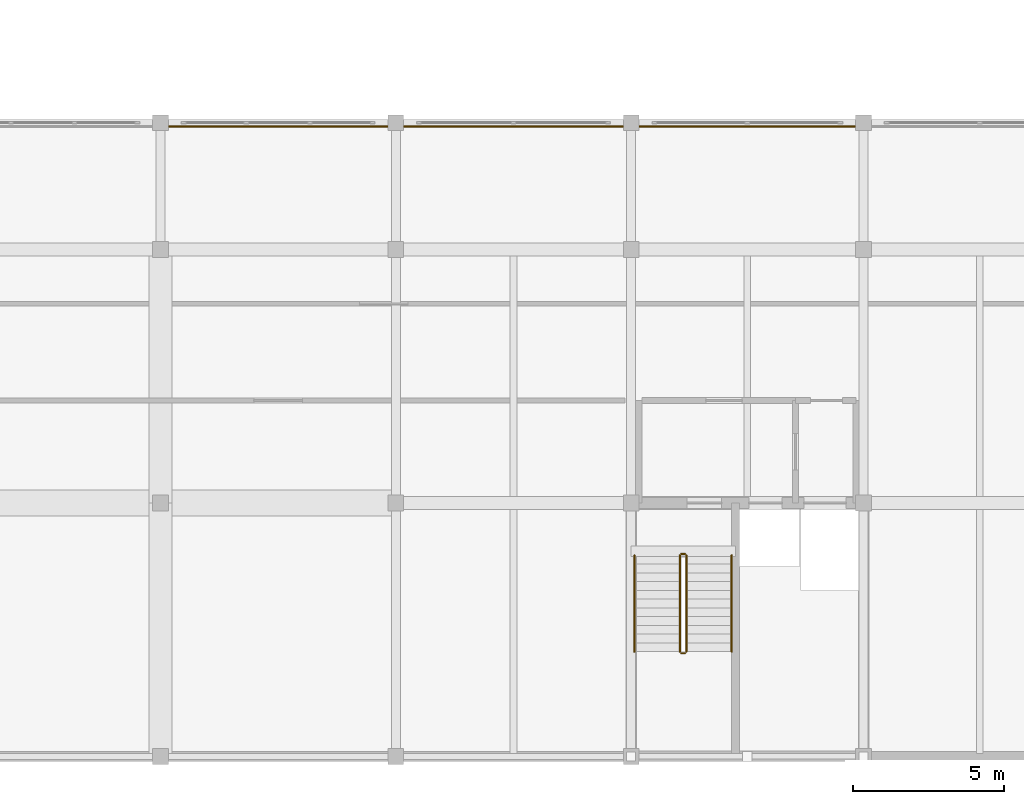
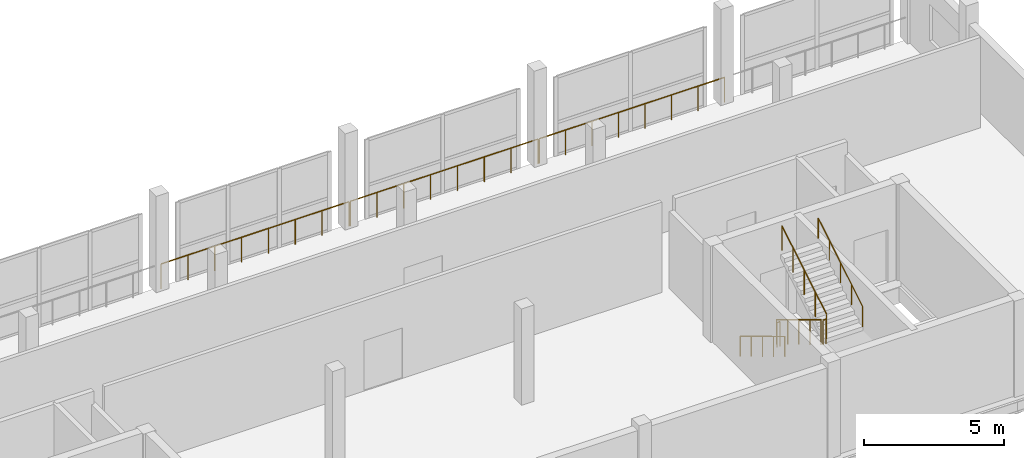
# One storey, part 52 of 53: 9 railings.
"""IFC4 building model written with IfcOpenShell, lengths in metres."""

from ifc_helpers import new_model, si_unit, direction, frame, origin, origin_2d, place, context, subcontext, project, spatial, circle, extrude, material, type_object, element, save


model = new_model("IFC4")

# Units and contexts
model_context = context("Model", 3, precision=1e-05, world=origin(), true_north=direction((0.0, 1.0)))
body_context = subcontext(model_context, "Body", "Model", "MODEL_VIEW")
ifc_project = project(units=[si_unit("LENGTHUNIT", "METRE"), si_unit("AREAUNIT", "SQUARE_METRE"), si_unit("VOLUMEUNIT", "CUBIC_METRE"), si_unit("PLANEANGLEUNIT", "RADIAN"), si_unit("MASSUNIT", "GRAM", prefix="KILO")], contexts=[model_context])

# Site, building, storey
site_placement = place(None, origin())
site = spatial("IfcSite", under=ifc_project, at=site_placement, CompositionType="ELEMENT")
building_placement = place(site_placement, origin())
building = spatial("IfcBuilding", under=site, at=building_placement, Name="Vharandega Faculty of Natural Sciences", CompositionType="ELEMENT")
storey_placement = place(building_placement, frame((0.0, 0.0, 10.199951171875)))
storey = spatial("IfcBuildingStorey", under=building, at=storey_placement, Name="L02", CompositionType="ELEMENT", Elevation=10.199951171875)

# Railings
ifc_material_1 = material(Name="Timber-capped steel and glass balustrade", Category="steel")
railing_type_1 = type_object("IfcRailingType", Name="Atrium Void Balustrade 1100", PredefinedType="BALUSTRADE", material=ifc_material_1)
for number, where, name in (
    (1, (130.425048828125, 84.8798828125, 0.0), "Laboratory Glazing Sill Balustrade L02 #3"),
    (2, (138.22509765625, 84.8798828125, 0.0), "Laboratory Glazing Sill Balustrade L02 #4"),
):
    element("IfcRailing", number, at=place(storey_placement, frame(where)), inside=storey, type_object=railing_type_1, Name=name, PredefinedType="BALUSTRADE", context=body_context, shape_type="SweptSolid", body=[
        extrude(circle(Radius=0.02392578125, at=origin_2d()), frame((0.0, 0.0, 1.076171875), z_axis=(1.0, 0.0, 0.0), x_axis=(0.0, 1.0, 0.0)), (0.0, 0.0, 1.0), 7.75),
        extrude(circle(Radius=0.02099609375, at=origin_2d()), origin(), (0.0, 0.0, 1.0), 1.052001953125),
        extrude(circle(Radius=0.02099609375, at=origin_2d()), frame((1.107177734375, 0.0, 0.0)), (0.0, 0.0, 1.0), 1.052001953125),
        extrude(circle(Radius=0.02099609375, at=origin_2d()), frame((2.21435546875, 0.0, 0.0)), (0.0, 0.0, 1.0), 1.052001953125),
        extrude(circle(Radius=0.02099609375, at=origin_2d()), frame((3.321533203125, 0.0, 0.0)), (0.0, 0.0, 1.0), 1.052001953125),
        extrude(circle(Radius=0.02099609375, at=origin_2d()), frame((4.428466796875, 0.0, 0.0)), (0.0, 0.0, 1.0), 1.052001953125),
        extrude(circle(Radius=0.02099609375, at=origin_2d()), frame((5.53564453125, 0.0, 0.0)), (0.0, 0.0, 1.0), 1.052001953125),
        extrude(circle(Radius=0.02099609375, at=origin_2d()), frame((6.642822265625, 0.0, 0.0)), (0.0, 0.0, 1.0), 1.052001953125),
        extrude(circle(Radius=0.02099609375, at=origin_2d()), frame((7.75, 0.0, 0.0)), (0.0, 0.0, 1.0), 1.052001953125),
    ])
railing_1_placement = place(storey_placement, frame((146.02490234375, 84.8798828125, 0.0)))
element("IfcRailing", 3, at=railing_1_placement, inside=storey, type_object=railing_type_1, Name="Laboratory Glazing Sill Balustrade L02 #5", PredefinedType="BALUSTRADE", context=body_context, shape_type="SweptSolid", body=[
    extrude(circle(Radius=0.02392578125, at=origin_2d()), frame((0.0, 0.0, 1.076171875), z_axis=(1.0, 0.0, 0.0), x_axis=(0.0, 1.0, 0.0)), (0.0, 0.0, 1.0), 7.650146484375),
    extrude(circle(Radius=0.02099609375, at=origin_2d()), origin(), (0.0, 0.0, 1.0), 1.052001953125),
    extrude(circle(Radius=0.02099609375, at=origin_2d()), frame((1.0927734375, 0.0, 0.0)), (0.0, 0.0, 1.0), 1.052001953125),
    extrude(circle(Radius=0.02099609375, at=origin_2d()), frame((2.185791015625, 0.0, 0.0)), (0.0, 0.0, 1.0), 1.052001953125),
    extrude(circle(Radius=0.02099609375, at=origin_2d()), frame((3.278564453125, 0.0, 0.0)), (0.0, 0.0, 1.0), 1.052001953125),
    extrude(circle(Radius=0.02099609375, at=origin_2d()), frame((4.37158203125, 0.0, 0.0)), (0.0, 0.0, 1.0), 1.052001953125),
    extrude(circle(Radius=0.02099609375, at=origin_2d()), frame((5.46435546875, 0.0, 0.0)), (0.0, 0.0, 1.0), 1.052001953125),
    extrude(circle(Radius=0.02099609375, at=origin_2d()), frame((6.557373046875, 0.0, 0.0)), (0.0, 0.0, 1.0), 1.052001953125),
    extrude(circle(Radius=0.02099609375, at=origin_2d()), frame((7.650146484375, 0.0, 0.0)), (0.0, 0.0, 1.0), 1.052001953125),
])
ifc_material_2 = material(Name="Brushed stainless steel handrail", Category="steel")
railing_type_2 = type_object("IfcRailingType", Name="Stair Tubular Handrail 900", PredefinedType="HANDRAIL", material=ifc_material_2)
railing_2_placement = place(storey_placement, frame((146.110107421875, 70.659912109375, 0.175048828125)))
element("IfcRailing", 4, at=railing_2_placement, inside=storey, type_object=railing_type_2, Name="L02 ST2 stair handrail 1", PredefinedType="HANDRAIL", context=body_context, shape_type="SweptSolid", body=[
    extrude(circle(Radius=0.02392578125, at=origin_2d()), frame((0.0, 0.0, 0.8759765625), z_axis=(0.0, -0.856177665481, 0.516681531633), x_axis=(1.0, 0.0, 0.0)), (0.0, 0.0, 1.0), 3.725830078125),
    extrude(circle(Radius=0.02099609375, at=origin_2d()), origin(), (0.0, 0.0, 1.0), 0.851806640625),
    extrude(circle(Radius=0.02099609375, at=origin_2d()), frame((0.0, -0.79736328125, 0.481201171875)), (0.0, 0.0, 1.0), 0.851806640625),
    extrude(circle(Radius=0.02099609375, at=origin_2d()), frame((0.0, -1.594970703125, 0.96240234375)), (0.0, 0.0, 1.0), 0.851806640625),
    extrude(circle(Radius=0.02099609375, at=origin_2d()), frame((0.0, -2.392578125, 1.44384765625)), (0.0, 0.0, 1.0), 0.851806640625),
    extrude(circle(Radius=0.02099609375, at=origin_2d()), frame((0.0, -3.18994140625, 1.925048828125)), (0.0, 0.0, 1.0), 0.851806640625),
])
railing_3_placement = place(storey_placement, frame((149.330078125, 67.469970703125, 2.275146484375)))
element("IfcRailing", 5, at=railing_3_placement, inside=storey, type_object=railing_type_2, Name="L02 ST2 stair handrail 2", PredefinedType="HANDRAIL", context=body_context, shape_type="SweptSolid", body=[
    extrude(circle(Radius=0.02392578125, at=origin_2d()), frame((0.0, 0.0, 0.8759765625), z_axis=(0.0, 0.856206652436, 0.516633495163), x_axis=(-1.0, 0.0, 0.0)), (0.0, 0.0, 1.0), 3.7255859375),
    extrude(circle(Radius=0.02099609375, at=origin_2d()), origin(), (0.0, 0.0, 1.0), 0.851806640625),
    extrude(circle(Radius=0.02099609375, at=origin_2d()), frame((0.0, 0.79736328125, 0.481201171875)), (0.0, 0.0, 1.0), 0.851806640625),
    extrude(circle(Radius=0.02099609375, at=origin_2d()), frame((0.0, 1.594970703125, 0.96240234375)), (0.0, 0.0, 1.0), 0.851806640625),
    extrude(circle(Radius=0.02099609375, at=origin_2d()), frame((0.0, 2.392578125, 1.443603515625)), (0.0, 0.0, 1.0), 0.851806640625),
    extrude(circle(Radius=0.02099609375, at=origin_2d()), frame((0.0, 3.18994140625, 1.9248046875)), (0.0, 0.0, 1.0), 0.851806640625),
])
ifc_material_3 = material(Name="Painted steel stair guardrail", Category="steel")
railing_type_3 = type_object("IfcRailingType", Name="Stairwell Steel Guardrail 1100", PredefinedType="GUARDRAIL", material=ifc_material_3)
railing_4_placement = place(storey_placement, frame((147.610107421875, 70.659912109375, 0.175048828125)))
element("IfcRailing", 6, at=railing_4_placement, inside=storey, type_object=railing_type_3, Name="L02 ST2 stair guard 1", PredefinedType="GUARDRAIL", context=body_context, shape_type="SweptSolid", body=[
    extrude(circle(Radius=0.02392578125, at=origin_2d()), frame((0.0, 0.0, 1.076171875), z_axis=(0.0, -0.856177665481, 0.516681531633), x_axis=(1.0, 0.0, 0.0)), (0.0, 0.0, 1.0), 3.725830078125),
    extrude(circle(Radius=0.02099609375, at=origin_2d()), origin(), (0.0, 0.0, 1.0), 1.052001953125),
    extrude(circle(Radius=0.02099609375, at=origin_2d()), frame((0.0, -0.79736328125, 0.481201171875)), (0.0, 0.0, 1.0), 1.052001953125),
    extrude(circle(Radius=0.02099609375, at=origin_2d()), frame((0.0, -1.594970703125, 0.96240234375)), (0.0, 0.0, 1.0), 1.052001953125),
    extrude(circle(Radius=0.02099609375, at=origin_2d()), frame((0.0, -2.392578125, 1.44384765625)), (0.0, 0.0, 1.0), 1.052001953125),
    extrude(circle(Radius=0.02099609375, at=origin_2d()), frame((0.0, -3.18994140625, 1.925048828125)), (0.0, 0.0, 1.0), 1.052001953125),
])
railing_5_placement = place(storey_placement, frame((147.659912109375, 67.419921875, 2.10009765625)))
element("IfcRailing", 7, at=railing_5_placement, inside=storey, type_object=railing_type_3, Name="L02 ST2 stair guard 2", PredefinedType="GUARDRAIL", context=body_context, shape_type="SweptSolid", body=[
    extrude(circle(Radius=0.02392578125, at=origin_2d()), frame((0.0, 0.0, 1.076171875), z_axis=(1.0, 0.0, 0.0), x_axis=(0.0, 1.0, 0.0)), (0.0, 0.0, 1.0), 0.1201171875),
    extrude(circle(Radius=0.02099609375, at=origin_2d()), origin(), (0.0, 0.0, 1.0), 1.052001953125),
    extrude(circle(Radius=0.02099609375, at=origin_2d()), frame((0.1201171875, 0.0, 0.0)), (0.0, 0.0, 1.0), 1.052001953125),
])
railing_6_placement = place(storey_placement, frame((147.830078125, 67.469970703125, 2.275146484375)))
element("IfcRailing", 8, at=railing_6_placement, inside=storey, type_object=railing_type_3, Name="L02 ST2 stair guard 3", PredefinedType="GUARDRAIL", context=body_context, shape_type="SweptSolid", body=[
    extrude(circle(Radius=0.02392578125, at=origin_2d()), frame((0.0, 0.0, 1.076171875), z_axis=(0.0, 0.856206652436, 0.516633495163), x_axis=(-1.0, 0.0, 0.0)), (0.0, 0.0, 1.0), 3.7255859375),
    extrude(circle(Radius=0.02099609375, at=origin_2d()), origin(), (0.0, 0.0, 1.0), 1.052001953125),
    extrude(circle(Radius=0.02099609375, at=origin_2d()), frame((0.0, 0.79736328125, 0.481201171875)), (0.0, 0.0, 1.0), 1.052001953125),
    extrude(circle(Radius=0.02099609375, at=origin_2d()), frame((0.0, 1.594970703125, 0.96240234375)), (0.0, 0.0, 1.0), 1.052001953125),
    extrude(circle(Radius=0.02099609375, at=origin_2d()), frame((0.0, 2.392578125, 1.443603515625)), (0.0, 0.0, 1.0), 1.052001953125),
    extrude(circle(Radius=0.02099609375, at=origin_2d()), frame((0.0, 3.18994140625, 1.9248046875)), (0.0, 0.0, 1.0), 1.052001953125),
])
railing_7_placement = place(storey_placement, frame((147.659912109375, 70.7099609375, 0.0)))
element("IfcRailing", 9, at=railing_7_placement, inside=storey, type_object=railing_type_3, Name="L02 ST2 stair guard 4", PredefinedType="GUARDRAIL", context=body_context, shape_type="SweptSolid", body=[
    extrude(circle(Radius=0.02392578125, at=origin_2d()), frame((0.0, 0.0, 1.076171875), z_axis=(1.0, 0.0, 0.0), x_axis=(0.0, 1.0, 0.0)), (0.0, 0.0, 1.0), 0.1201171875),
    extrude(circle(Radius=0.02099609375, at=origin_2d()), origin(), (0.0, 0.0, 1.0), 1.052001953125),
    extrude(circle(Radius=0.02099609375, at=origin_2d()), frame((0.1201171875, 0.0, 0.0)), (0.0, 0.0, 1.0), 1.052001953125),
])

save(model, "model.ifc")
